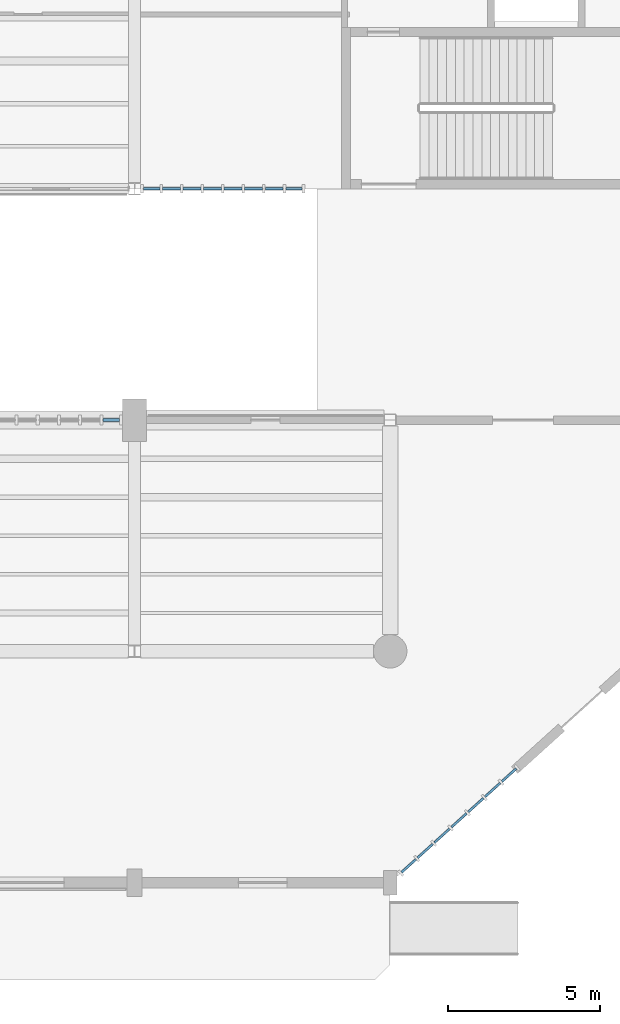
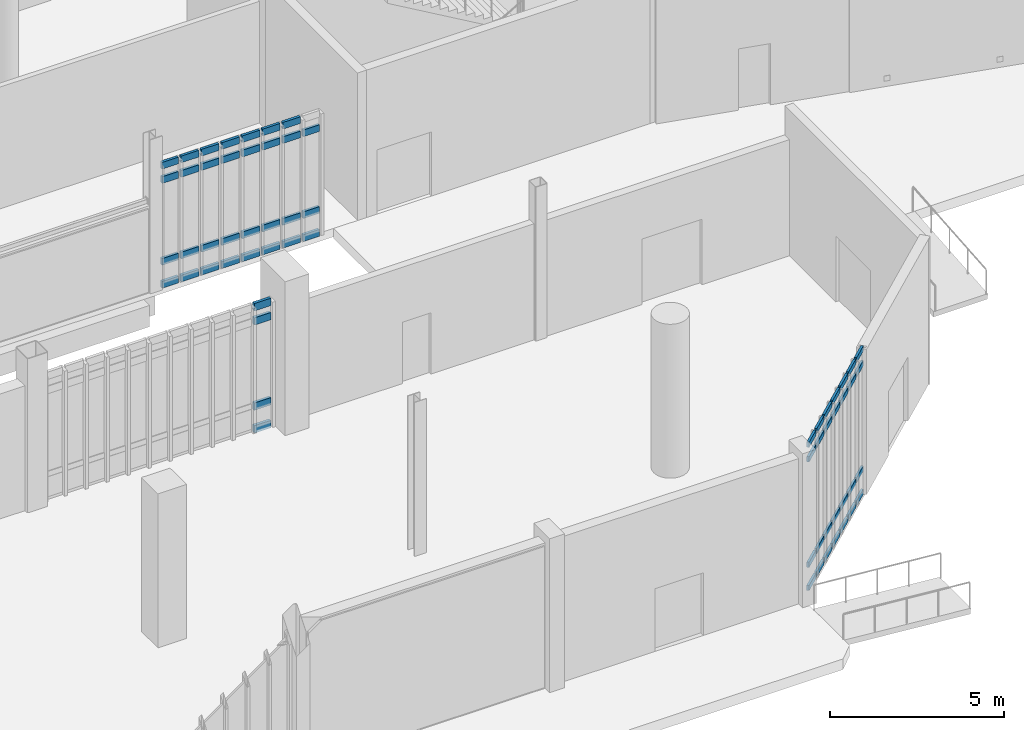
# One storey, part 39 of 111: 63 members, 3 elements without a shape of their own.
"""IFC4 building model written with IfcOpenShell, lengths in metres."""

from ifc_helpers import new_model, si_unit, direction, frame, origin, origin_2d, place, context, subcontext, project, spatial, rectangle, extrude, material, material_profile, profile_set, type_object, element, aggregate, save


model = new_model("IFC4")

# Units and contexts
model_context = context("Model", 3, precision=1e-05, world=origin(), true_north=direction((0.0, 1.0)))
body_context = subcontext(model_context, "Body", "Model", "MODEL_VIEW")
ifc_project = project(units=[si_unit("LENGTHUNIT", "METRE"), si_unit("AREAUNIT", "SQUARE_METRE"), si_unit("VOLUMEUNIT", "CUBIC_METRE"), si_unit("PLANEANGLEUNIT", "RADIAN"), si_unit("MASSUNIT", "GRAM", prefix="KILO")], contexts=[model_context])

# Site, building, storey
site_placement = place(None, origin())
site = spatial("IfcSite", under=ifc_project, at=site_placement, CompositionType="ELEMENT")
building_placement = place(site_placement, origin())
building = spatial("IfcBuilding", under=site, at=building_placement, Name="Larkvane Passage Sports Hall", CompositionType="ELEMENT")
storey_placement = place(building_placement, origin())
storey = spatial("IfcBuildingStorey", under=building, at=storey_placement, Name="L00", CompositionType="ELEMENT", Elevation=0.0)

# Curtain wall, members
ifc_material_1 = material(Name="Thermally broken aluminium and low-E glazing", Category="aluminium")
curtain_wall_type_1 = type_object("IfcCurtainWallType", Name="CW-CLINIC", PredefinedType="USERDEFINED", material=ifc_material_1)
curtain_wall_1_placement = place(storey_placement, origin())
curtain_wall_1 = element("IfcCurtainWall", 1, at=curtain_wall_1_placement, inside=storey, type_object=curtain_wall_type_1, Name="Curtain wall CW5-L00-027", ObjectType="UNITISED CURTAIN WALL", PredefinedType="USERDEFINED")
ifc_material_2 = material(Name="Anodised aluminium 6063-T6", Category="aluminium")
ifc_material_profile_1 = material_profile(ifc_material_2, rectangle(XDim=0.10009765625, YDim=0.260009765625, at=origin_2d()), Name="ALU-TRN-100x260")
ifc_profile_set_1 = profile_set([ifc_material_profile_1], Name="Anodised aluminium 6063-T6")
member_type_1 = type_object("IfcMemberType", Name="CW-TRN-100x260", PredefinedType="USERDEFINED", material=ifc_profile_set_1)
member_1_placement = place(storey_placement, frame((75.7578125, 15.199951171875, 0.050048828125), z_axis=(1.0, 0.0, 0.0), x_axis=(0.0, 1.0, 0.0)))
member_1 = element("IfcMember", 2, at=member_1_placement, type_object=member_type_1, Name="CW-05 transom 11.1", ObjectType="TRANSOM", PredefinedType="USERDEFINED", context=body_context, shape_type="SweptSolid", body=[
    extrude(rectangle(XDim=0.10009765625, YDim=0.260009765625, at=origin_2d()), origin(), (0.0, 0.0, 1.0), 0.546142578125),
])
member_2_placement = place(storey_placement, frame((75.7578125, 15.199951171875, 0.85009765625), z_axis=(1.0, 0.0, 0.0), x_axis=(0.0, 1.0, 0.0)))
member_2 = element("IfcMember", 3, at=member_2_placement, type_object=member_type_1, Name="CW-05 transom 11.2", ObjectType="TRANSOM", PredefinedType="USERDEFINED", context=body_context, shape_type="SweptSolid", body=[
    extrude(rectangle(XDim=0.10009765625, YDim=0.260009765625, at=origin_2d()), origin(), (0.0, 0.0, 1.0), 0.546142578125),
])
member_3_placement = place(storey_placement, frame((75.7578125, 15.199951171875, 3.8359375), z_axis=(1.0, 0.0, 0.0), x_axis=(0.0, 1.0, 0.0)))
member_3 = element("IfcMember", 4, at=member_3_placement, type_object=member_type_1, Name="CW-05 transom 11.3", ObjectType="TRANSOM", PredefinedType="USERDEFINED", context=body_context, shape_type="SweptSolid", body=[
    extrude(rectangle(XDim=0.10009765625, YDim=0.260009765625, at=origin_2d()), origin(), (0.0, 0.0, 1.0), 0.546142578125),
])
member_4_placement = place(storey_placement, frame((75.7578125, 15.199951171875, 4.3359375), z_axis=(1.0, 0.0, 0.0), x_axis=(0.0, 1.0, 0.0)))
member_4 = element("IfcMember", 5, at=member_4_placement, type_object=member_type_1, Name="CW-05 transom 11.4", ObjectType="TRANSOM", PredefinedType="USERDEFINED", context=body_context, shape_type="SweptSolid", body=[
    extrude(rectangle(XDim=0.10009765625, YDim=0.260009765625, at=origin_2d()), origin(), (0.0, 0.0, 1.0), 0.546142578125),
])
aggregate(curtain_wall_1, [member_1, member_2, member_3, member_4])

curtain_wall_type_2 = type_object("IfcCurtainWallType", Name="CW-UNIT-VEIL", PredefinedType="USERDEFINED", material=ifc_material_1)
curtain_wall_2_placement = place(storey_placement, origin())
curtain_wall_2 = element("IfcCurtainWall", 6, at=curtain_wall_2_placement, inside=storey, type_object=curtain_wall_type_2, Name="Curtain wall CW5-L00-001", ObjectType="UNITISED CURTAIN WALL", PredefinedType="USERDEFINED")
ifc_material_profile_2 = material_profile(ifc_material_2, rectangle(XDim=0.074951171875, YDim=0.18505859375, at=origin_2d()), Name="ALU-TRN-75x185")
ifc_profile_set_2 = profile_set([ifc_material_profile_2], Name="Anodised aluminium 6063-T6")
member_type_2 = type_object("IfcMemberType", Name="CW-TRN-75x185", PredefinedType="USERDEFINED", material=ifc_profile_set_2)
member_5_placement = place(storey_placement, frame((89.344482421875, 3.749755859375, 0.03759765625), z_axis=(-0.741590423166, -0.670852922978, 0.0), x_axis=(0.670852922978, -0.741590423166, 0.0)))
member_5 = element("IfcMember", 7, at=member_5_placement, type_object=member_type_2, Name="CW-02 transom 1.1", ObjectType="TRANSOM", PredefinedType="USERDEFINED", context=body_context, shape_type="SweptSolid", body=[
    extrude(rectangle(XDim=0.074951171875, YDim=0.18505859375, at=origin_2d()), origin(), (0.0, 0.0, 1.0), 0.635009765625),
])
member_6_placement = place(storey_placement, frame((89.344482421875, 3.749755859375, 0.85009765625), z_axis=(-0.741590423166, -0.670852922978, 0.0), x_axis=(0.670852922978, -0.741590423166, 0.0)))
member_6 = element("IfcMember", 8, at=member_6_placement, type_object=member_type_2, Name="CW-02 transom 1.2", ObjectType="TRANSOM", PredefinedType="USERDEFINED", context=body_context, shape_type="SweptSolid", body=[
    extrude(rectangle(XDim=0.074951171875, YDim=0.18505859375, at=origin_2d()), origin(), (0.0, 0.0, 1.0), 0.635009765625),
])
member_7_placement = place(storey_placement, frame((89.344482421875, 3.749755859375, 4.550048828125), z_axis=(-0.741590423166, -0.670852922978, 0.0), x_axis=(0.670852922978, -0.741590423166, 0.0)))
member_7 = element("IfcMember", 9, at=member_7_placement, type_object=member_type_2, Name="CW-02 transom 1.3", ObjectType="TRANSOM", PredefinedType="USERDEFINED", context=body_context, shape_type="SweptSolid", body=[
    extrude(rectangle(XDim=0.074951171875, YDim=0.18505859375, at=origin_2d()), origin(), (0.0, 0.0, 1.0), 0.635009765625),
])
member_8_placement = place(storey_placement, frame((89.344482421875, 3.749755859375, 5.0625), z_axis=(-0.741590423166, -0.670852922978, 0.0), x_axis=(0.670852922978, -0.741590423166, 0.0)))
member_8 = element("IfcMember", 10, at=member_8_placement, type_object=member_type_2, Name="CW-02 transom 1.4", ObjectType="TRANSOM", PredefinedType="USERDEFINED", context=body_context, shape_type="SweptSolid", body=[
    extrude(rectangle(XDim=0.074951171875, YDim=0.18505859375, at=origin_2d()), origin(), (0.0, 0.0, 1.0), 0.635009765625),
])
member_9_placement = place(storey_placement, frame((88.81787109375, 3.273193359375, 0.03759765625), z_axis=(-0.74161317238, -0.670827774136, 0.0), x_axis=(0.670827774136, -0.74161317238, 0.0)))
member_9 = element("IfcMember", 11, at=member_9_placement, type_object=member_type_2, Name="CW-02 transom 2.1", ObjectType="TRANSOM", PredefinedType="USERDEFINED", context=body_context, shape_type="SweptSolid", body=[
    extrude(rectangle(XDim=0.074951171875, YDim=0.18505859375, at=origin_2d()), origin(), (0.0, 0.0, 1.0), 0.672607421875),
])
member_10_placement = place(storey_placement, frame((88.81787109375, 3.273193359375, 0.85009765625), z_axis=(-0.74161317238, -0.670827774136, 0.0), x_axis=(0.670827774136, -0.74161317238, 0.0)))
member_10 = element("IfcMember", 12, at=member_10_placement, type_object=member_type_2, Name="CW-02 transom 2.2", ObjectType="TRANSOM", PredefinedType="USERDEFINED", context=body_context, shape_type="SweptSolid", body=[
    extrude(rectangle(XDim=0.074951171875, YDim=0.18505859375, at=origin_2d()), origin(), (0.0, 0.0, 1.0), 0.672607421875),
])
member_11_placement = place(storey_placement, frame((88.81787109375, 3.273193359375, 4.550048828125), z_axis=(-0.74161317238, -0.670827774136, 0.0), x_axis=(0.670827774136, -0.74161317238, 0.0)))
member_11 = element("IfcMember", 13, at=member_11_placement, type_object=member_type_2, Name="CW-02 transom 2.3", ObjectType="TRANSOM", PredefinedType="USERDEFINED", context=body_context, shape_type="SweptSolid", body=[
    extrude(rectangle(XDim=0.074951171875, YDim=0.18505859375, at=origin_2d()), origin(), (0.0, 0.0, 1.0), 0.672607421875),
])
member_12_placement = place(storey_placement, frame((88.81787109375, 3.273193359375, 5.0625), z_axis=(-0.74161317238, -0.670827774136, 0.0), x_axis=(0.670827774136, -0.74161317238, 0.0)))
member_12 = element("IfcMember", 14, at=member_12_placement, type_object=member_type_2, Name="CW-02 transom 2.4", ObjectType="TRANSOM", PredefinedType="USERDEFINED", context=body_context, shape_type="SweptSolid", body=[
    extrude(rectangle(XDim=0.074951171875, YDim=0.18505859375, at=origin_2d()), origin(), (0.0, 0.0, 1.0), 0.672607421875),
])
member_13_placement = place(storey_placement, frame((88.263671875, 2.771728515625, 0.03759765625), z_axis=(-0.74161317238, -0.670827774136, 0.0), x_axis=(0.670827774136, -0.74161317238, 0.0)))
member_13 = element("IfcMember", 15, at=member_13_placement, type_object=member_type_2, Name="CW-02 transom 3.1", ObjectType="TRANSOM", PredefinedType="USERDEFINED", context=body_context, shape_type="SweptSolid", body=[
    extrude(rectangle(XDim=0.074951171875, YDim=0.18505859375, at=origin_2d()), origin(), (0.0, 0.0, 1.0), 0.672607421875),
])
member_14_placement = place(storey_placement, frame((88.263671875, 2.771728515625, 0.85009765625), z_axis=(-0.74161317238, -0.670827774136, 0.0), x_axis=(0.670827774136, -0.74161317238, 0.0)))
member_14 = element("IfcMember", 16, at=member_14_placement, type_object=member_type_2, Name="CW-02 transom 3.2", ObjectType="TRANSOM", PredefinedType="USERDEFINED", context=body_context, shape_type="SweptSolid", body=[
    extrude(rectangle(XDim=0.074951171875, YDim=0.18505859375, at=origin_2d()), origin(), (0.0, 0.0, 1.0), 0.672607421875),
])
member_15_placement = place(storey_placement, frame((88.263671875, 2.771728515625, 4.550048828125), z_axis=(-0.74161317238, -0.670827774136, 0.0), x_axis=(0.670827774136, -0.74161317238, 0.0)))
member_15 = element("IfcMember", 17, at=member_15_placement, type_object=member_type_2, Name="CW-02 transom 3.3", ObjectType="TRANSOM", PredefinedType="USERDEFINED", context=body_context, shape_type="SweptSolid", body=[
    extrude(rectangle(XDim=0.074951171875, YDim=0.18505859375, at=origin_2d()), origin(), (0.0, 0.0, 1.0), 0.672607421875),
])
member_16_placement = place(storey_placement, frame((88.263671875, 2.771728515625, 5.0625), z_axis=(-0.74161317238, -0.670827774136, 0.0), x_axis=(0.670827774136, -0.74161317238, 0.0)))
member_16 = element("IfcMember", 18, at=member_16_placement, type_object=member_type_2, Name="CW-02 transom 3.4", ObjectType="TRANSOM", PredefinedType="USERDEFINED", context=body_context, shape_type="SweptSolid", body=[
    extrude(rectangle(XDim=0.074951171875, YDim=0.18505859375, at=origin_2d()), origin(), (0.0, 0.0, 1.0), 0.672607421875),
])
member_17_placement = place(storey_placement, frame((87.709228515625, 2.270263671875, 0.03759765625), z_axis=(-0.74161317238, -0.670827774136, 0.0), x_axis=(0.670827774136, -0.74161317238, 0.0)))
member_17 = element("IfcMember", 19, at=member_17_placement, type_object=member_type_2, Name="CW-02 transom 4.1", ObjectType="TRANSOM", PredefinedType="USERDEFINED", context=body_context, shape_type="SweptSolid", body=[
    extrude(rectangle(XDim=0.074951171875, YDim=0.18505859375, at=origin_2d()), origin(), (0.0, 0.0, 1.0), 0.672607421875),
])
member_18_placement = place(storey_placement, frame((87.709228515625, 2.270263671875, 0.85009765625), z_axis=(-0.74161317238, -0.670827774136, 0.0), x_axis=(0.670827774136, -0.74161317238, 0.0)))
member_18 = element("IfcMember", 20, at=member_18_placement, type_object=member_type_2, Name="CW-02 transom 4.2", ObjectType="TRANSOM", PredefinedType="USERDEFINED", context=body_context, shape_type="SweptSolid", body=[
    extrude(rectangle(XDim=0.074951171875, YDim=0.18505859375, at=origin_2d()), origin(), (0.0, 0.0, 1.0), 0.672607421875),
])
member_19_placement = place(storey_placement, frame((87.709228515625, 2.270263671875, 4.550048828125), z_axis=(-0.74161317238, -0.670827774136, 0.0), x_axis=(0.670827774136, -0.74161317238, 0.0)))
member_19 = element("IfcMember", 21, at=member_19_placement, type_object=member_type_2, Name="CW-02 transom 4.3", ObjectType="TRANSOM", PredefinedType="USERDEFINED", context=body_context, shape_type="SweptSolid", body=[
    extrude(rectangle(XDim=0.074951171875, YDim=0.18505859375, at=origin_2d()), origin(), (0.0, 0.0, 1.0), 0.672607421875),
])
member_20_placement = place(storey_placement, frame((87.709228515625, 2.270263671875, 5.0625), z_axis=(-0.74161317238, -0.670827774136, 0.0), x_axis=(0.670827774136, -0.74161317238, 0.0)))
member_20 = element("IfcMember", 22, at=member_20_placement, type_object=member_type_2, Name="CW-02 transom 4.4", ObjectType="TRANSOM", PredefinedType="USERDEFINED", context=body_context, shape_type="SweptSolid", body=[
    extrude(rectangle(XDim=0.074951171875, YDim=0.18505859375, at=origin_2d()), origin(), (0.0, 0.0, 1.0), 0.672607421875),
])
member_21_placement = place(storey_placement, frame((87.155029296875, 1.768798828125, 0.03759765625), z_axis=(-0.74161317238, -0.670827774136, 0.0), x_axis=(0.670827774136, -0.74161317238, 0.0)))
member_21 = element("IfcMember", 23, at=member_21_placement, type_object=member_type_2, Name="CW-02 transom 5.1", ObjectType="TRANSOM", PredefinedType="USERDEFINED", context=body_context, shape_type="SweptSolid", body=[
    extrude(rectangle(XDim=0.074951171875, YDim=0.18505859375, at=origin_2d()), origin(), (0.0, 0.0, 1.0), 0.672607421875),
])
member_22_placement = place(storey_placement, frame((87.155029296875, 1.768798828125, 0.85009765625), z_axis=(-0.74161317238, -0.670827774136, 0.0), x_axis=(0.670827774136, -0.74161317238, 0.0)))
member_22 = element("IfcMember", 24, at=member_22_placement, type_object=member_type_2, Name="CW-02 transom 5.2", ObjectType="TRANSOM", PredefinedType="USERDEFINED", context=body_context, shape_type="SweptSolid", body=[
    extrude(rectangle(XDim=0.074951171875, YDim=0.18505859375, at=origin_2d()), origin(), (0.0, 0.0, 1.0), 0.672607421875),
])
member_23_placement = place(storey_placement, frame((87.155029296875, 1.768798828125, 4.550048828125), z_axis=(-0.74161317238, -0.670827774136, 0.0), x_axis=(0.670827774136, -0.74161317238, 0.0)))
member_23 = element("IfcMember", 25, at=member_23_placement, type_object=member_type_2, Name="CW-02 transom 5.3", ObjectType="TRANSOM", PredefinedType="USERDEFINED", context=body_context, shape_type="SweptSolid", body=[
    extrude(rectangle(XDim=0.074951171875, YDim=0.18505859375, at=origin_2d()), origin(), (0.0, 0.0, 1.0), 0.672607421875),
])
member_24_placement = place(storey_placement, frame((87.155029296875, 1.768798828125, 5.0625), z_axis=(-0.74161317238, -0.670827774136, 0.0), x_axis=(0.670827774136, -0.74161317238, 0.0)))
member_24 = element("IfcMember", 26, at=member_24_placement, type_object=member_type_2, Name="CW-02 transom 5.4", ObjectType="TRANSOM", PredefinedType="USERDEFINED", context=body_context, shape_type="SweptSolid", body=[
    extrude(rectangle(XDim=0.074951171875, YDim=0.18505859375, at=origin_2d()), origin(), (0.0, 0.0, 1.0), 0.672607421875),
])
member_25_placement = place(storey_placement, frame((86.6005859375, 1.26708984375, 0.03759765625), z_axis=(-0.74161317238, -0.670827774136, 0.0), x_axis=(0.670827774136, -0.74161317238, 0.0)))
member_25 = element("IfcMember", 27, at=member_25_placement, type_object=member_type_2, Name="CW-02 transom 6.1", ObjectType="TRANSOM", PredefinedType="USERDEFINED", context=body_context, shape_type="SweptSolid", body=[
    extrude(rectangle(XDim=0.074951171875, YDim=0.18505859375, at=origin_2d()), origin(), (0.0, 0.0, 1.0), 0.672607421875),
])
member_26_placement = place(storey_placement, frame((86.6005859375, 1.26708984375, 0.85009765625), z_axis=(-0.74161317238, -0.670827774136, 0.0), x_axis=(0.670827774136, -0.74161317238, 0.0)))
member_26 = element("IfcMember", 28, at=member_26_placement, type_object=member_type_2, Name="CW-02 transom 6.2", ObjectType="TRANSOM", PredefinedType="USERDEFINED", context=body_context, shape_type="SweptSolid", body=[
    extrude(rectangle(XDim=0.074951171875, YDim=0.18505859375, at=origin_2d()), origin(), (0.0, 0.0, 1.0), 0.672607421875),
])
member_27_placement = place(storey_placement, frame((86.6005859375, 1.26708984375, 4.550048828125), z_axis=(-0.74161317238, -0.670827774136, 0.0), x_axis=(0.670827774136, -0.74161317238, 0.0)))
member_27 = element("IfcMember", 29, at=member_27_placement, type_object=member_type_2, Name="CW-02 transom 6.3", ObjectType="TRANSOM", PredefinedType="USERDEFINED", context=body_context, shape_type="SweptSolid", body=[
    extrude(rectangle(XDim=0.074951171875, YDim=0.18505859375, at=origin_2d()), origin(), (0.0, 0.0, 1.0), 0.672607421875),
])
member_28_placement = place(storey_placement, frame((86.6005859375, 1.26708984375, 5.0625), z_axis=(-0.74161317238, -0.670827774136, 0.0), x_axis=(0.670827774136, -0.74161317238, 0.0)))
member_28 = element("IfcMember", 30, at=member_28_placement, type_object=member_type_2, Name="CW-02 transom 6.4", ObjectType="TRANSOM", PredefinedType="USERDEFINED", context=body_context, shape_type="SweptSolid", body=[
    extrude(rectangle(XDim=0.074951171875, YDim=0.18505859375, at=origin_2d()), origin(), (0.0, 0.0, 1.0), 0.672607421875),
])
member_29_placement = place(storey_placement, frame((86.04638671875, 0.765625, 0.03759765625), z_axis=(-0.741590423166, -0.670852922978, 0.0), x_axis=(0.670852922978, -0.741590423166, 0.0)))
member_29 = element("IfcMember", 31, at=member_29_placement, type_object=member_type_2, Name="CW-02 transom 7.1", ObjectType="TRANSOM", PredefinedType="USERDEFINED", context=body_context, shape_type="SweptSolid", body=[
    extrude(rectangle(XDim=0.074951171875, YDim=0.18505859375, at=origin_2d()), origin(), (0.0, 0.0, 1.0), 0.635009765625),
])
member_30_placement = place(storey_placement, frame((86.04638671875, 0.765625, 0.85009765625), z_axis=(-0.741590423166, -0.670852922978, 0.0), x_axis=(0.670852922978, -0.741590423166, 0.0)))
member_30 = element("IfcMember", 32, at=member_30_placement, type_object=member_type_2, Name="CW-02 transom 7.2", ObjectType="TRANSOM", PredefinedType="USERDEFINED", context=body_context, shape_type="SweptSolid", body=[
    extrude(rectangle(XDim=0.074951171875, YDim=0.18505859375, at=origin_2d()), origin(), (0.0, 0.0, 1.0), 0.635009765625),
])
member_31_placement = place(storey_placement, frame((86.04638671875, 0.765625, 4.550048828125), z_axis=(-0.741590423166, -0.670852922978, 0.0), x_axis=(0.670852922978, -0.741590423166, 0.0)))
member_31 = element("IfcMember", 33, at=member_31_placement, type_object=member_type_2, Name="CW-02 transom 7.3", ObjectType="TRANSOM", PredefinedType="USERDEFINED", context=body_context, shape_type="SweptSolid", body=[
    extrude(rectangle(XDim=0.074951171875, YDim=0.18505859375, at=origin_2d()), origin(), (0.0, 0.0, 1.0), 0.635009765625),
])
member_32_placement = place(storey_placement, frame((86.04638671875, 0.765625, 5.0625), z_axis=(-0.741590423166, -0.670852922978, 0.0), x_axis=(0.670852922978, -0.741590423166, 0.0)))
member_32 = element("IfcMember", 34, at=member_32_placement, type_object=member_type_2, Name="CW-02 transom 7.4", ObjectType="TRANSOM", PredefinedType="USERDEFINED", context=body_context, shape_type="SweptSolid", body=[
    extrude(rectangle(XDim=0.074951171875, YDim=0.18505859375, at=origin_2d()), origin(), (0.0, 0.0, 1.0), 0.635009765625),
])
aggregate(curtain_wall_2, [member_5, member_6, member_7, member_8, member_9, member_10, member_11, member_12, member_13, member_14, member_15, member_16, member_17, member_18, member_19, member_20, member_21, member_22, member_23, member_24, member_25, member_26, member_27, member_28, member_29, member_30, member_31, member_32])

curtain_wall_type_3 = type_object("IfcCurtainWallType", Name="CW-STICK-FOYER", PredefinedType="USERDEFINED", material=ifc_material_1)
curtain_wall_3_placement = place(storey_placement, origin())
curtain_wall_3 = element("IfcCurtainWall", 35, at=curtain_wall_3_placement, inside=storey, type_object=curtain_wall_type_3, Name="Curtain wall CW5-L00-026", ObjectType="STICK CURTAIN WALL", PredefinedType="USERDEFINED")
ifc_material_profile_3 = material_profile(ifc_material_2, rectangle(XDim=0.090087890625, YDim=0.235107421875, at=origin_2d()), Name="ALU-TRN-90x235")
ifc_profile_set_3 = profile_set([ifc_material_profile_3], Name="Anodised aluminium 6063-T6")
member_type_3 = type_object("IfcMemberType", Name="CW-TRN-90x235", PredefinedType="USERDEFINED", material=ifc_profile_set_3)
member_33_placement = place(storey_placement, frame((82.31005859375, 22.800048828125, 0.044921875), z_axis=(-1.0, 0.0, 0.0), x_axis=(0.0, -1.0, 0.0)))
member_33 = element("IfcMember", 36, at=member_33_placement, type_object=member_type_3, Name="CW-03 transom 1.1", ObjectType="TRANSOM", PredefinedType="USERDEFINED", context=body_context, shape_type="SweptSolid", body=[
    extrude(rectangle(XDim=0.090087890625, YDim=0.235107421875, at=origin_2d()), origin(), (0.0, 0.0, 1.0), 0.540283203125),
])
member_34_placement = place(storey_placement, frame((82.31005859375, 22.800048828125, 0.85009765625), z_axis=(-1.0, 0.0, 0.0), x_axis=(0.0, -1.0, 0.0)))
member_34 = element("IfcMember", 37, at=member_34_placement, type_object=member_type_3, Name="CW-03 transom 1.2", ObjectType="TRANSOM", PredefinedType="USERDEFINED", context=body_context, shape_type="SweptSolid", body=[
    extrude(rectangle(XDim=0.090087890625, YDim=0.235107421875, at=origin_2d()), origin(), (0.0, 0.0, 1.0), 0.540283203125),
])
member_35_placement = place(storey_placement, frame((82.31005859375, 22.800048828125, 3.718017578125), z_axis=(-1.0, 0.0, 0.0), x_axis=(0.0, -1.0, 0.0)))
member_35 = element("IfcMember", 38, at=member_35_placement, type_object=member_type_3, Name="CW-03 transom 1.3", ObjectType="TRANSOM", PredefinedType="USERDEFINED", context=body_context, shape_type="SweptSolid", body=[
    extrude(rectangle(XDim=0.090087890625, YDim=0.235107421875, at=origin_2d()), origin(), (0.0, 0.0, 1.0), 0.540283203125),
])
member_36_placement = place(storey_placement, frame((81.679931640625, 22.800048828125, 0.044921875), z_axis=(-1.0, 0.0, 0.0), x_axis=(0.0, -1.0, 0.0)))
member_36 = element("IfcMember", 39, at=member_36_placement, type_object=member_type_3, Name="CW-03 transom 2.1", ObjectType="TRANSOM", PredefinedType="USERDEFINED", context=body_context, shape_type="SweptSolid", body=[
    extrude(rectangle(XDim=0.090087890625, YDim=0.235107421875, at=origin_2d()), origin(), (0.0, 0.0, 1.0), 0.585205078125),
])
member_37_placement = place(storey_placement, frame((81.679931640625, 22.800048828125, 0.85009765625), z_axis=(-1.0, 0.0, 0.0), x_axis=(0.0, -1.0, 0.0)))
member_37 = element("IfcMember", 40, at=member_37_placement, type_object=member_type_3, Name="CW-03 transom 2.2", ObjectType="TRANSOM", PredefinedType="USERDEFINED", context=body_context, shape_type="SweptSolid", body=[
    extrude(rectangle(XDim=0.090087890625, YDim=0.235107421875, at=origin_2d()), origin(), (0.0, 0.0, 1.0), 0.585205078125),
])
member_38_placement = place(storey_placement, frame((81.679931640625, 22.800048828125, 3.718017578125), z_axis=(-1.0, 0.0, 0.0), x_axis=(0.0, -1.0, 0.0)))
member_38 = element("IfcMember", 41, at=member_38_placement, type_object=member_type_3, Name="CW-03 transom 2.3", ObjectType="TRANSOM", PredefinedType="USERDEFINED", context=body_context, shape_type="SweptSolid", body=[
    extrude(rectangle(XDim=0.090087890625, YDim=0.235107421875, at=origin_2d()), origin(), (0.0, 0.0, 1.0), 0.585205078125),
])
member_39_placement = place(storey_placement, frame((81.679931640625, 22.800048828125, 4.222900390625), z_axis=(-1.0, 0.0, 0.0), x_axis=(0.0, -1.0, 0.0)))
member_39 = element("IfcMember", 42, at=member_39_placement, type_object=member_type_3, Name="CW-03 transom 2.4", ObjectType="TRANSOM", PredefinedType="USERDEFINED", context=body_context, shape_type="SweptSolid", body=[
    extrude(rectangle(XDim=0.090087890625, YDim=0.235107421875, at=origin_2d()), origin(), (0.0, 0.0, 1.0), 0.585205078125),
])
member_40_placement = place(storey_placement, frame((81.004638671875, 22.800048828125, 0.044921875), z_axis=(-1.0, 0.0, 0.0), x_axis=(0.0, -1.0, 0.0)))
member_40 = element("IfcMember", 43, at=member_40_placement, type_object=member_type_3, Name="CW-03 transom 3.1", ObjectType="TRANSOM", PredefinedType="USERDEFINED", context=body_context, shape_type="SweptSolid", body=[
    extrude(rectangle(XDim=0.090087890625, YDim=0.235107421875, at=origin_2d()), origin(), (0.0, 0.0, 1.0), 0.585205078125),
])
member_41_placement = place(storey_placement, frame((81.004638671875, 22.800048828125, 0.85009765625), z_axis=(-1.0, 0.0, 0.0), x_axis=(0.0, -1.0, 0.0)))
member_41 = element("IfcMember", 44, at=member_41_placement, type_object=member_type_3, Name="CW-03 transom 3.2", ObjectType="TRANSOM", PredefinedType="USERDEFINED", context=body_context, shape_type="SweptSolid", body=[
    extrude(rectangle(XDim=0.090087890625, YDim=0.235107421875, at=origin_2d()), origin(), (0.0, 0.0, 1.0), 0.585205078125),
])
member_42_placement = place(storey_placement, frame((81.004638671875, 22.800048828125, 3.718017578125), z_axis=(-1.0, 0.0, 0.0), x_axis=(0.0, -1.0, 0.0)))
member_42 = element("IfcMember", 45, at=member_42_placement, type_object=member_type_3, Name="CW-03 transom 3.3", ObjectType="TRANSOM", PredefinedType="USERDEFINED", context=body_context, shape_type="SweptSolid", body=[
    extrude(rectangle(XDim=0.090087890625, YDim=0.235107421875, at=origin_2d()), origin(), (0.0, 0.0, 1.0), 0.585205078125),
])
member_43_placement = place(storey_placement, frame((81.004638671875, 22.800048828125, 4.222900390625), z_axis=(-1.0, 0.0, 0.0), x_axis=(0.0, -1.0, 0.0)))
member_43 = element("IfcMember", 46, at=member_43_placement, type_object=member_type_3, Name="CW-03 transom 3.4", ObjectType="TRANSOM", PredefinedType="USERDEFINED", context=body_context, shape_type="SweptSolid", body=[
    extrude(rectangle(XDim=0.090087890625, YDim=0.235107421875, at=origin_2d()), origin(), (0.0, 0.0, 1.0), 0.585205078125),
])
member_44_placement = place(storey_placement, frame((80.329345703125, 22.800048828125, 0.044921875), z_axis=(-1.0, 0.0, 0.0), x_axis=(0.0, -1.0, 0.0)))
member_44 = element("IfcMember", 47, at=member_44_placement, type_object=member_type_3, Name="CW-03 transom 4.1", ObjectType="TRANSOM", PredefinedType="USERDEFINED", context=body_context, shape_type="SweptSolid", body=[
    extrude(rectangle(XDim=0.090087890625, YDim=0.235107421875, at=origin_2d()), origin(), (0.0, 0.0, 1.0), 0.585205078125),
])
member_45_placement = place(storey_placement, frame((80.329345703125, 22.800048828125, 0.85009765625), z_axis=(-1.0, 0.0, 0.0), x_axis=(0.0, -1.0, 0.0)))
member_45 = element("IfcMember", 48, at=member_45_placement, type_object=member_type_3, Name="CW-03 transom 4.2", ObjectType="TRANSOM", PredefinedType="USERDEFINED", context=body_context, shape_type="SweptSolid", body=[
    extrude(rectangle(XDim=0.090087890625, YDim=0.235107421875, at=origin_2d()), origin(), (0.0, 0.0, 1.0), 0.585205078125),
])
member_46_placement = place(storey_placement, frame((80.329345703125, 22.800048828125, 3.718017578125), z_axis=(-1.0, 0.0, 0.0), x_axis=(0.0, -1.0, 0.0)))
member_46 = element("IfcMember", 49, at=member_46_placement, type_object=member_type_3, Name="CW-03 transom 4.3", ObjectType="TRANSOM", PredefinedType="USERDEFINED", context=body_context, shape_type="SweptSolid", body=[
    extrude(rectangle(XDim=0.090087890625, YDim=0.235107421875, at=origin_2d()), origin(), (0.0, 0.0, 1.0), 0.585205078125),
])
member_47_placement = place(storey_placement, frame((80.329345703125, 22.800048828125, 4.222900390625), z_axis=(-1.0, 0.0, 0.0), x_axis=(0.0, -1.0, 0.0)))
member_47 = element("IfcMember", 50, at=member_47_placement, type_object=member_type_3, Name="CW-03 transom 4.4", ObjectType="TRANSOM", PredefinedType="USERDEFINED", context=body_context, shape_type="SweptSolid", body=[
    extrude(rectangle(XDim=0.090087890625, YDim=0.235107421875, at=origin_2d()), origin(), (0.0, 0.0, 1.0), 0.585205078125),
])
member_48_placement = place(storey_placement, frame((79.654296875, 22.800048828125, 0.044921875), z_axis=(-1.0, 0.0, 0.0), x_axis=(0.0, -1.0, 0.0)))
member_48 = element("IfcMember", 51, at=member_48_placement, type_object=member_type_3, Name="CW-03 transom 5.1", ObjectType="TRANSOM", PredefinedType="USERDEFINED", context=body_context, shape_type="SweptSolid", body=[
    extrude(rectangle(XDim=0.090087890625, YDim=0.235107421875, at=origin_2d()), origin(), (0.0, 0.0, 1.0), 0.585205078125),
])
member_49_placement = place(storey_placement, frame((79.654296875, 22.800048828125, 0.85009765625), z_axis=(-1.0, 0.0, 0.0), x_axis=(0.0, -1.0, 0.0)))
member_49 = element("IfcMember", 52, at=member_49_placement, type_object=member_type_3, Name="CW-03 transom 5.2", ObjectType="TRANSOM", PredefinedType="USERDEFINED", context=body_context, shape_type="SweptSolid", body=[
    extrude(rectangle(XDim=0.090087890625, YDim=0.235107421875, at=origin_2d()), origin(), (0.0, 0.0, 1.0), 0.585205078125),
])
member_50_placement = place(storey_placement, frame((79.654296875, 22.800048828125, 3.718017578125), z_axis=(-1.0, 0.0, 0.0), x_axis=(0.0, -1.0, 0.0)))
member_50 = element("IfcMember", 53, at=member_50_placement, type_object=member_type_3, Name="CW-03 transom 5.3", ObjectType="TRANSOM", PredefinedType="USERDEFINED", context=body_context, shape_type="SweptSolid", body=[
    extrude(rectangle(XDim=0.090087890625, YDim=0.235107421875, at=origin_2d()), origin(), (0.0, 0.0, 1.0), 0.585205078125),
])
member_51_placement = place(storey_placement, frame((79.654296875, 22.800048828125, 4.222900390625), z_axis=(-1.0, 0.0, 0.0), x_axis=(0.0, -1.0, 0.0)))
member_51 = element("IfcMember", 54, at=member_51_placement, type_object=member_type_3, Name="CW-03 transom 5.4", ObjectType="TRANSOM", PredefinedType="USERDEFINED", context=body_context, shape_type="SweptSolid", body=[
    extrude(rectangle(XDim=0.090087890625, YDim=0.235107421875, at=origin_2d()), origin(), (0.0, 0.0, 1.0), 0.585205078125),
])
member_52_placement = place(storey_placement, frame((78.97900390625, 22.800048828125, 0.044921875), z_axis=(-1.0, 0.0, 0.0), x_axis=(0.0, -1.0, 0.0)))
member_52 = element("IfcMember", 55, at=member_52_placement, type_object=member_type_3, Name="CW-03 transom 6.1", ObjectType="TRANSOM", PredefinedType="USERDEFINED", context=body_context, shape_type="SweptSolid", body=[
    extrude(rectangle(XDim=0.090087890625, YDim=0.235107421875, at=origin_2d()), origin(), (0.0, 0.0, 1.0), 0.585205078125),
])
member_53_placement = place(storey_placement, frame((78.97900390625, 22.800048828125, 0.85009765625), z_axis=(-1.0, 0.0, 0.0), x_axis=(0.0, -1.0, 0.0)))
member_53 = element("IfcMember", 56, at=member_53_placement, type_object=member_type_3, Name="CW-03 transom 6.2", ObjectType="TRANSOM", PredefinedType="USERDEFINED", context=body_context, shape_type="SweptSolid", body=[
    extrude(rectangle(XDim=0.090087890625, YDim=0.235107421875, at=origin_2d()), origin(), (0.0, 0.0, 1.0), 0.585205078125),
])
member_54_placement = place(storey_placement, frame((78.97900390625, 22.800048828125, 3.718017578125), z_axis=(-1.0, 0.0, 0.0), x_axis=(0.0, -1.0, 0.0)))
member_54 = element("IfcMember", 57, at=member_54_placement, type_object=member_type_3, Name="CW-03 transom 6.3", ObjectType="TRANSOM", PredefinedType="USERDEFINED", context=body_context, shape_type="SweptSolid", body=[
    extrude(rectangle(XDim=0.090087890625, YDim=0.235107421875, at=origin_2d()), origin(), (0.0, 0.0, 1.0), 0.585205078125),
])
member_55_placement = place(storey_placement, frame((78.97900390625, 22.800048828125, 4.222900390625), z_axis=(-1.0, 0.0, 0.0), x_axis=(0.0, -1.0, 0.0)))
member_55 = element("IfcMember", 58, at=member_55_placement, type_object=member_type_3, Name="CW-03 transom 6.4", ObjectType="TRANSOM", PredefinedType="USERDEFINED", context=body_context, shape_type="SweptSolid", body=[
    extrude(rectangle(XDim=0.090087890625, YDim=0.235107421875, at=origin_2d()), origin(), (0.0, 0.0, 1.0), 0.585205078125),
])
member_56_placement = place(storey_placement, frame((78.303955078125, 22.800048828125, 0.044921875), z_axis=(-1.0, 0.0, 0.0), x_axis=(0.0, -1.0, 0.0)))
member_56 = element("IfcMember", 59, at=member_56_placement, type_object=member_type_3, Name="CW-03 transom 7.1", ObjectType="TRANSOM", PredefinedType="USERDEFINED", context=body_context, shape_type="SweptSolid", body=[
    extrude(rectangle(XDim=0.090087890625, YDim=0.235107421875, at=origin_2d()), origin(), (0.0, 0.0, 1.0), 0.585205078125),
])
member_57_placement = place(storey_placement, frame((78.303955078125, 22.800048828125, 0.85009765625), z_axis=(-1.0, 0.0, 0.0), x_axis=(0.0, -1.0, 0.0)))
member_57 = element("IfcMember", 60, at=member_57_placement, type_object=member_type_3, Name="CW-03 transom 7.2", ObjectType="TRANSOM", PredefinedType="USERDEFINED", context=body_context, shape_type="SweptSolid", body=[
    extrude(rectangle(XDim=0.090087890625, YDim=0.235107421875, at=origin_2d()), origin(), (0.0, 0.0, 1.0), 0.585205078125),
])
member_58_placement = place(storey_placement, frame((78.303955078125, 22.800048828125, 3.718017578125), z_axis=(-1.0, 0.0, 0.0), x_axis=(0.0, -1.0, 0.0)))
member_58 = element("IfcMember", 61, at=member_58_placement, type_object=member_type_3, Name="CW-03 transom 7.3", ObjectType="TRANSOM", PredefinedType="USERDEFINED", context=body_context, shape_type="SweptSolid", body=[
    extrude(rectangle(XDim=0.090087890625, YDim=0.235107421875, at=origin_2d()), origin(), (0.0, 0.0, 1.0), 0.585205078125),
])
member_59_placement = place(storey_placement, frame((78.303955078125, 22.800048828125, 4.222900390625), z_axis=(-1.0, 0.0, 0.0), x_axis=(0.0, -1.0, 0.0)))
member_59 = element("IfcMember", 62, at=member_59_placement, type_object=member_type_3, Name="CW-03 transom 7.4", ObjectType="TRANSOM", PredefinedType="USERDEFINED", context=body_context, shape_type="SweptSolid", body=[
    extrude(rectangle(XDim=0.090087890625, YDim=0.235107421875, at=origin_2d()), origin(), (0.0, 0.0, 1.0), 0.585205078125),
])
member_60_placement = place(storey_placement, frame((77.628662109375, 22.800048828125, 0.044921875), z_axis=(-1.0, 0.0, 0.0), x_axis=(0.0, -1.0, 0.0)))
member_60 = element("IfcMember", 63, at=member_60_placement, type_object=member_type_3, Name="CW-03 transom 8.1", ObjectType="TRANSOM", PredefinedType="USERDEFINED", context=body_context, shape_type="SweptSolid", body=[
    extrude(rectangle(XDim=0.090087890625, YDim=0.235107421875, at=origin_2d()), origin(), (0.0, 0.0, 1.0), 0.540283203125),
])
member_61_placement = place(storey_placement, frame((77.628662109375, 22.800048828125, 0.85009765625), z_axis=(-1.0, 0.0, 0.0), x_axis=(0.0, -1.0, 0.0)))
member_61 = element("IfcMember", 64, at=member_61_placement, type_object=member_type_3, Name="CW-03 transom 8.2", ObjectType="TRANSOM", PredefinedType="USERDEFINED", context=body_context, shape_type="SweptSolid", body=[
    extrude(rectangle(XDim=0.090087890625, YDim=0.235107421875, at=origin_2d()), origin(), (0.0, 0.0, 1.0), 0.540283203125),
])
member_62_placement = place(storey_placement, frame((77.628662109375, 22.800048828125, 3.718017578125), z_axis=(-1.0, 0.0, 0.0), x_axis=(0.0, -1.0, 0.0)))
member_62 = element("IfcMember", 65, at=member_62_placement, type_object=member_type_3, Name="CW-03 transom 8.3", ObjectType="TRANSOM", PredefinedType="USERDEFINED", context=body_context, shape_type="SweptSolid", body=[
    extrude(rectangle(XDim=0.090087890625, YDim=0.235107421875, at=origin_2d()), origin(), (0.0, 0.0, 1.0), 0.540283203125),
])
member_63_placement = place(storey_placement, frame((77.628662109375, 22.800048828125, 4.222900390625), z_axis=(-1.0, 0.0, 0.0), x_axis=(0.0, -1.0, 0.0)))
member_63 = element("IfcMember", 66, at=member_63_placement, type_object=member_type_3, Name="CW-03 transom 8.4", ObjectType="TRANSOM", PredefinedType="USERDEFINED", context=body_context, shape_type="SweptSolid", body=[
    extrude(rectangle(XDim=0.090087890625, YDim=0.235107421875, at=origin_2d()), origin(), (0.0, 0.0, 1.0), 0.540283203125),
])
aggregate(curtain_wall_3, [member_33, member_34, member_35, member_36, member_37, member_38, member_39, member_40, member_41, member_42, member_43, member_44, member_45, member_46, member_47, member_48, member_49, member_50, member_51, member_52, member_53, member_54, member_55, member_56, member_57, member_58, member_59, member_60, member_61, member_62, member_63])

save(model, "model.ifc")
